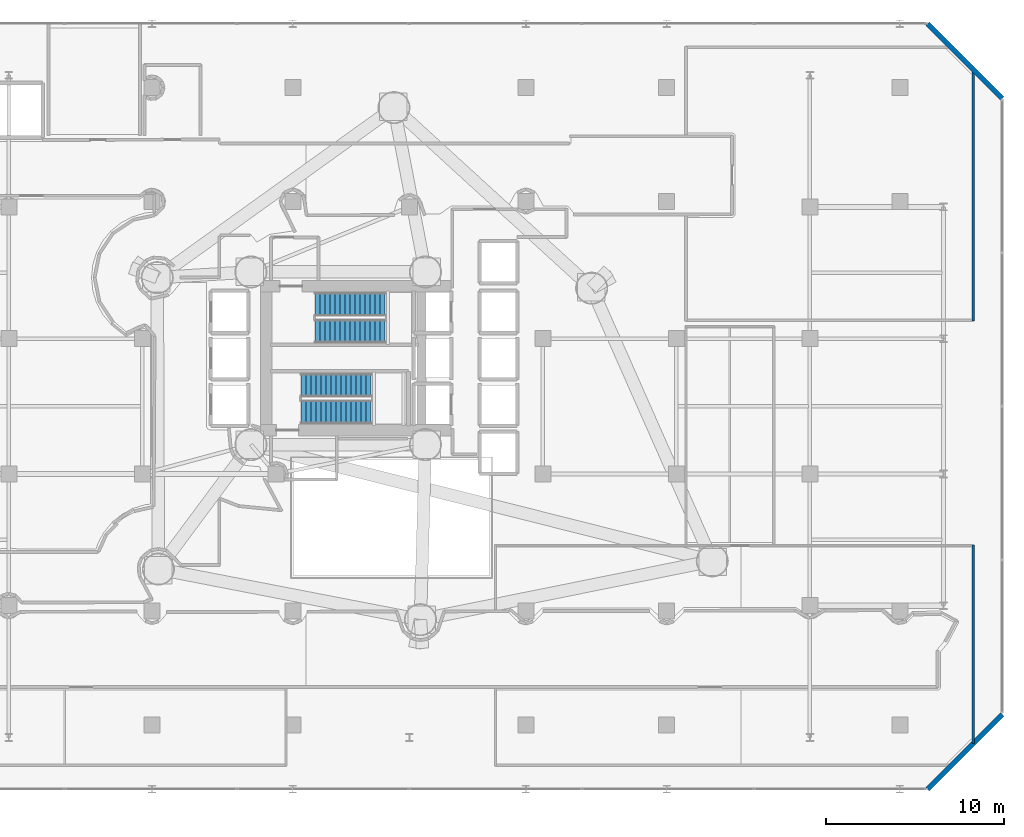
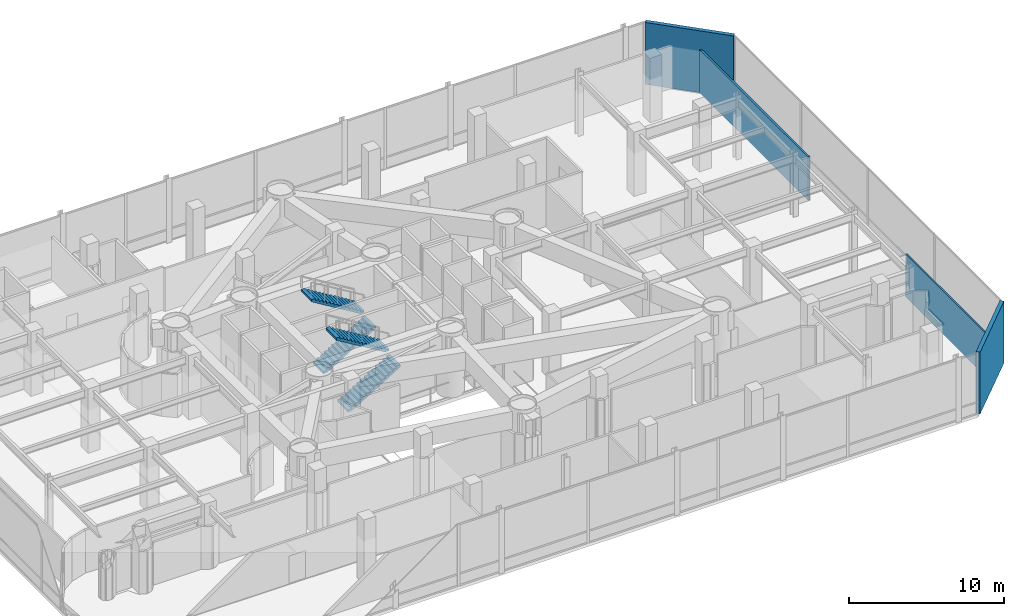
# One storey, part 34 of 40: 4 stair flights, 4 walls, 2 elements without a shape of their own.
"""IFC4 building model written with IfcOpenShell, lengths in metres."""

from ifc_helpers import new_model, si_unit, direction, frame, frame_2d, origin, place, context, subcontext, project, spatial, polyline, rectangle, outline, extrude, material, layer, layer_set, type_object, element, aggregate, save


model = new_model("IFC4")

# Units and contexts
model_context = context("Model", 3, precision=1e-05, world=origin(), true_north=direction((0.0, 1.0)))
body_context = subcontext(model_context, "Body", "Model", "MODEL_VIEW")
ifc_project = project(units=[si_unit("LENGTHUNIT", "METRE"), si_unit("AREAUNIT", "SQUARE_METRE"), si_unit("VOLUMEUNIT", "CUBIC_METRE"), si_unit("PLANEANGLEUNIT", "RADIAN"), si_unit("MASSUNIT", "GRAM", prefix="KILO")], contexts=[model_context])

# Site, building, storey
site_placement = place(None, origin())
site = spatial("IfcSite", under=ifc_project, at=site_placement, CompositionType="ELEMENT")
building_placement = place(site_placement, origin())
building = spatial("IfcBuilding", under=site, at=building_placement, Name="Qianvela Tower", CompositionType="ELEMENT")
storey_placement = place(building_placement, frame((0.0, 0.0, 20.60009765625)))
storey = spatial("IfcBuildingStorey", under=building, at=storey_placement, Name="L04", CompositionType="ELEMENT", Elevation=20.60009765625)

# Walls
ifc_material_1 = material(Name="Terracotta Cladding on Concrete C40", Category="masonry")
ifc_layer_1 = layer(ifc_material_1, 0.280029296875)
ifc_layer_set_1 = layer_set([ifc_layer_1], Name="Terracotta Cladding on Concrete C40")
wall_type_1 = type_object("IfcWallType", Name="TERRACOTTA-WALL-280", PredefinedType="SOLIDWALL", material=ifc_layer_set_1)
for number, where, z_axis, x_axis, name in (
    (1, (66.60009765625, 4.5, 0.0), (0.0, 0.0, 1.0), (0.707106781187, 0.707106781187, 0.0), "L04 Terracotta Corner Wall 2"),
    (2, (70.800048828125, 43.300048828125, 0.0), (0.0, 0.0, 1.0), (-0.707106781187, 0.707106781187, 0.0), "L04 Terracotta Corner Wall 4"),
):
    element("IfcWall", number, at=place(storey_placement, frame(where, z_axis=z_axis, x_axis=x_axis)), inside=storey, type_object=wall_type_1, Name=name, PredefinedType="SOLIDWALL", context=body_context, shape_type="SweptSolid", body=[
        extrude(rectangle(XDim=5.939697265625, YDim=0.280029296875, at=frame_2d((2.9697265625, 0.0))), origin(), (0.0, 0.0, 1.0), 4.8798828125),
    ])
ifc_material_2 = material(Name="Fire-Rated Gypsum and Concrete Block", Category="concrete")
ifc_layer_2 = layer(ifc_material_2, 0.159912109375)
ifc_layer_set_2 = layer_set([ifc_layer_2], Name="Fire-Rated Gypsum and Concrete Block")
wall_type_2 = type_object("IfcWallType", Name="WT-CORR-160", PredefinedType="PARTITIONING", material=ifc_layer_set_2)
wall_1_placement = place(storey_placement, frame((69.1689453125, 44.950927734375, 0.0), z_axis=(0.0, 0.0, 1.0), x_axis=(0.0, -1.0, 0.0)))
element("IfcWall", 3, at=wall_1_placement, inside=storey, type_object=wall_type_2, Name="L04 Partition 236", PredefinedType="PARTITIONING", context=body_context, shape_type="SweptSolid", body=[
    extrude(rectangle(XDim=14.15087890625, YDim=0.159912109375, at=frame_2d((7.075439453125, 0.0))), origin(), (0.0, 0.0, 1.0), 3.39990234375),
])
ifc_material_3 = material(Name="Insulated Gypsum Stud Partition")
ifc_layer_3 = layer(ifc_material_3, 0.1201171875)
ifc_layer_set_3 = layer_set([ifc_layer_3], Name="Insulated Gypsum Stud Partition")
wall_type_3 = type_object("IfcWallType", Name="WT-PART-120", PredefinedType="PARTITIONING", material=ifc_layer_set_3)
wall_2_placement = place(storey_placement, frame((69.1689453125, 18.199951171875, 0.0), z_axis=(0.0, 0.0, 1.0), x_axis=(0.0, -1.0, 0.0)))
element("IfcWall", 4, at=wall_2_placement, inside=storey, type_object=wall_type_3, Name="L04 Partition 203", PredefinedType="PARTITIONING", context=body_context, shape_type="SweptSolid", body=[
    extrude(rectangle(XDim=11.15087890625, YDim=0.1201171875, at=frame_2d((5.575439453125, 0.0))), origin(), (0.0, 0.0, 1.0), 3.39990234375),
])

# Stair, stair flights
ifc_material_4 = material(Name="Concrete C40", Category="concrete")
stair_type = type_object("IfcStairType", Name="ST-DOGLEG-1350-R170-N30", PredefinedType="HALF_TURN_STAIR", material=ifc_material_4)
stair_1_placement = place(storey_placement, origin())
stair_1 = element("IfcStair", 5, at=stair_1_placement, inside=storey, type_object=stair_type, Name="L04 Smoke-Proof Core Stair ST-1", PredefinedType="HALF_TURN_STAIR")
ifc_material_5 = material(Name="Concrete C40", Category="concrete")
stair_flight_type = type_object("IfcStairFlightType", Name="STF-STRAIGHT-R170-P15", PredefinedType="STRAIGHT", material=ifc_material_5)
stair_flight_1_placement = place(storey_placement, frame((32.199951171875, 30.215087890625, 0.0), z_axis=(0.0, 0.0, 1.0), x_axis=(1.0, 0.0, 0.0)))
stair_flight_1 = element("IfcStairFlight", 6, at=stair_flight_1_placement, type_object=stair_flight_type, Name="ST-1 flight 1", NumberOfRisers=15, NumberOfTreads=14, PredefinedType="STRAIGHT", RiserHeight=0.17, TreadLength=0.28, context=body_context, shape_type="SweptSolid", body=[
    extrude(outline(polyline([(0.0, 0.0), (0.0, 0.169921875), (0.280029296875, 0.169921875), (0.280029296875, 0.340087890625), (0.56005859375, 0.340087890625), (0.56005859375, 0.510009765625), (0.840087890625, 0.510009765625), (0.840087890625, 0.679931640625), (1.1201171875, 0.679931640625), (1.1201171875, 0.85009765625), (1.39990234375, 0.85009765625), (1.39990234375, 1.02001953125), (1.679931640625, 1.02001953125), (1.679931640625, 1.18994140625), (1.9599609375, 1.18994140625), (1.9599609375, 1.360107421875), (2.239990234375, 1.360107421875), (2.239990234375, 1.530029296875), (2.52001953125, 1.530029296875), (2.52001953125, 1.699951171875), (2.800048828125, 1.699951171875), (2.800048828125, 1.8701171875), (3.080078125, 1.8701171875), (3.080078125, 2.0400390625), (3.360107421875, 2.0400390625), (3.360107421875, 2.2099609375), (3.639892578125, 2.2099609375), (3.639892578125, 2.3798828125), (3.919921875, 2.3798828125), (3.919921875, 2.550048828125), (3.919921875, 2.20458984375), (0.288818359375, 0.0), (0.0, 0.0)])), frame((0.0, 0.675048828125, 0.0), z_axis=(0.0, -1.0, 0.0), x_axis=(1.0, 0.0, 0.0)), (0.0, 0.0, 1.0), 1.35009765625),
])
stair_flight_2_placement = place(storey_placement, frame((36.1201171875, 31.72509765625, 2.5498046875), z_axis=(0.0, 0.0, 1.0), x_axis=(-1.0, 0.0, 0.0)))
stair_flight_2 = element("IfcStairFlight", 7, at=stair_flight_2_placement, type_object=stair_flight_type, Name="ST-1 flight 2", NumberOfRisers=15, NumberOfTreads=14, PredefinedType="STRAIGHT", RiserHeight=0.17, TreadLength=0.28, context=body_context, shape_type="SweptSolid", body=[
    extrude(outline(polyline([(0.0, 0.0), (0.0, 0.169921875), (0.280029296875, 0.169921875), (0.280029296875, 0.340087890625), (0.56005859375, 0.340087890625), (0.56005859375, 0.510009765625), (0.840087890625, 0.510009765625), (0.840087890625, 0.679931640625), (1.1201171875, 0.679931640625), (1.1201171875, 0.85009765625), (1.39990234375, 0.85009765625), (1.39990234375, 1.02001953125), (1.679931640625, 1.02001953125), (1.679931640625, 1.18994140625), (1.9599609375, 1.18994140625), (1.9599609375, 1.360107421875), (2.239990234375, 1.360107421875), (2.239990234375, 1.530029296875), (2.52001953125, 1.530029296875), (2.52001953125, 1.699951171875), (2.800048828125, 1.699951171875), (2.800048828125, 1.8701171875), (3.080078125, 1.8701171875), (3.080078125, 2.0400390625), (3.360107421875, 2.0400390625), (3.360107421875, 2.2099609375), (3.639892578125, 2.2099609375), (3.639892578125, 2.3798828125), (3.919921875, 2.3798828125), (3.919921875, 2.550048828125), (3.919921875, 2.20458984375), (0.288818359375, 0.0), (0.0, 0.0)])), frame((0.0, 0.675048828125, 0.0), z_axis=(0.0, -1.0, 0.0), x_axis=(1.0, 0.0, 0.0)), (0.0, 0.0, 1.0), 1.35009765625),
])
aggregate(stair_1, [stair_flight_1, stair_flight_2])

stair_2_placement = place(storey_placement, origin())
stair_2 = element("IfcStair", 8, at=stair_2_placement, inside=storey, type_object=stair_type, Name="L04 Smoke-Proof Core Stair ST-2", PredefinedType="HALF_TURN_STAIR")
stair_flight_3_placement = place(storey_placement, frame((31.419921875, 25.675048828125, 0.0), z_axis=(0.0, 0.0, 1.0), x_axis=(1.0, 0.0, 0.0)))
stair_flight_3 = element("IfcStairFlight", 9, at=stair_flight_3_placement, type_object=stair_flight_type, Name="ST-2 flight 1", NumberOfRisers=15, NumberOfTreads=14, PredefinedType="STRAIGHT", RiserHeight=0.17, TreadLength=0.28, context=body_context, shape_type="SweptSolid", body=[
    extrude(outline(polyline([(0.0, 0.0), (0.0, 0.169921875), (0.280029296875, 0.169921875), (0.280029296875, 0.340087890625), (0.56005859375, 0.340087890625), (0.56005859375, 0.510009765625), (0.840087890625, 0.510009765625), (0.840087890625, 0.679931640625), (1.1201171875, 0.679931640625), (1.1201171875, 0.85009765625), (1.39990234375, 0.85009765625), (1.39990234375, 1.02001953125), (1.679931640625, 1.02001953125), (1.679931640625, 1.18994140625), (1.9599609375, 1.18994140625), (1.9599609375, 1.360107421875), (2.239990234375, 1.360107421875), (2.239990234375, 1.530029296875), (2.52001953125, 1.530029296875), (2.52001953125, 1.699951171875), (2.800048828125, 1.699951171875), (2.800048828125, 1.8701171875), (3.080078125, 1.8701171875), (3.080078125, 2.0400390625), (3.360107421875, 2.0400390625), (3.360107421875, 2.2099609375), (3.639892578125, 2.2099609375), (3.639892578125, 2.3798828125), (3.919921875, 2.3798828125), (3.919921875, 2.550048828125), (3.919921875, 2.20458984375), (0.288818359375, 0.0), (0.0, 0.0)])), frame((0.0, 0.675048828125, 0.0), z_axis=(0.0, -1.0, 0.0), x_axis=(1.0, 0.0, 0.0)), (0.0, 0.0, 1.0), 1.35009765625),
])
stair_flight_4_placement = place(storey_placement, frame((35.340087890625, 27.18505859375, 2.5498046875), z_axis=(0.0, 0.0, 1.0), x_axis=(-1.0, 0.0, 0.0)))
stair_flight_4 = element("IfcStairFlight", 10, at=stair_flight_4_placement, type_object=stair_flight_type, Name="ST-2 flight 2", NumberOfRisers=15, NumberOfTreads=14, PredefinedType="STRAIGHT", RiserHeight=0.17, TreadLength=0.28, context=body_context, shape_type="SweptSolid", body=[
    extrude(outline(polyline([(0.0, 0.0), (0.0, 0.169921875), (0.280029296875, 0.169921875), (0.280029296875, 0.340087890625), (0.56005859375, 0.340087890625), (0.56005859375, 0.510009765625), (0.840087890625, 0.510009765625), (0.840087890625, 0.679931640625), (1.1201171875, 0.679931640625), (1.1201171875, 0.85009765625), (1.39990234375, 0.85009765625), (1.39990234375, 1.02001953125), (1.679931640625, 1.02001953125), (1.679931640625, 1.18994140625), (1.9599609375, 1.18994140625), (1.9599609375, 1.360107421875), (2.239990234375, 1.360107421875), (2.239990234375, 1.530029296875), (2.52001953125, 1.530029296875), (2.52001953125, 1.699951171875), (2.800048828125, 1.699951171875), (2.800048828125, 1.8701171875), (3.080078125, 1.8701171875), (3.080078125, 2.0400390625), (3.360107421875, 2.0400390625), (3.360107421875, 2.2099609375), (3.639892578125, 2.2099609375), (3.639892578125, 2.3798828125), (3.919921875, 2.3798828125), (3.919921875, 2.550048828125), (3.919921875, 2.20458984375), (0.288818359375, 0.0), (0.0, 0.0)])), frame((0.0, 0.675048828125, 0.0), z_axis=(0.0, -1.0, 0.0), x_axis=(1.0, 0.0, 0.0)), (0.0, 0.0, 1.0), 1.35009765625),
])
aggregate(stair_2, [stair_flight_3, stair_flight_4])

save(model, "model.ifc")
